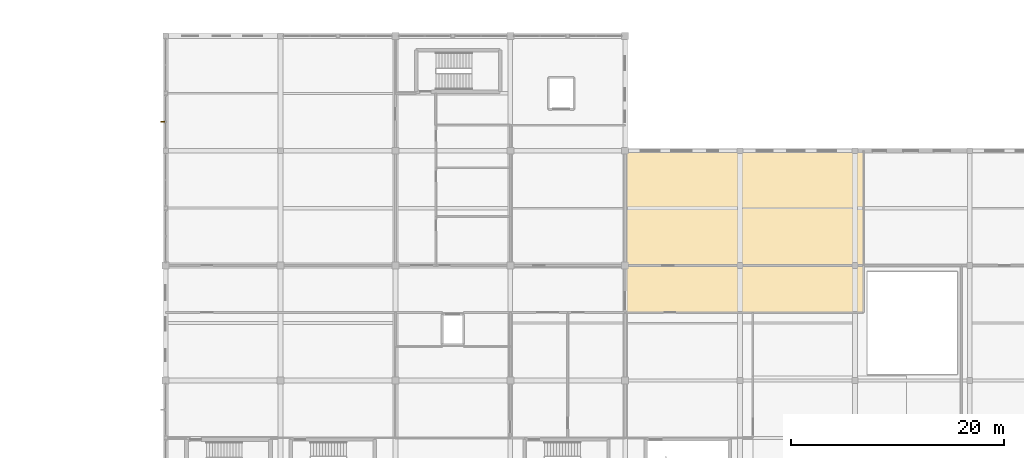
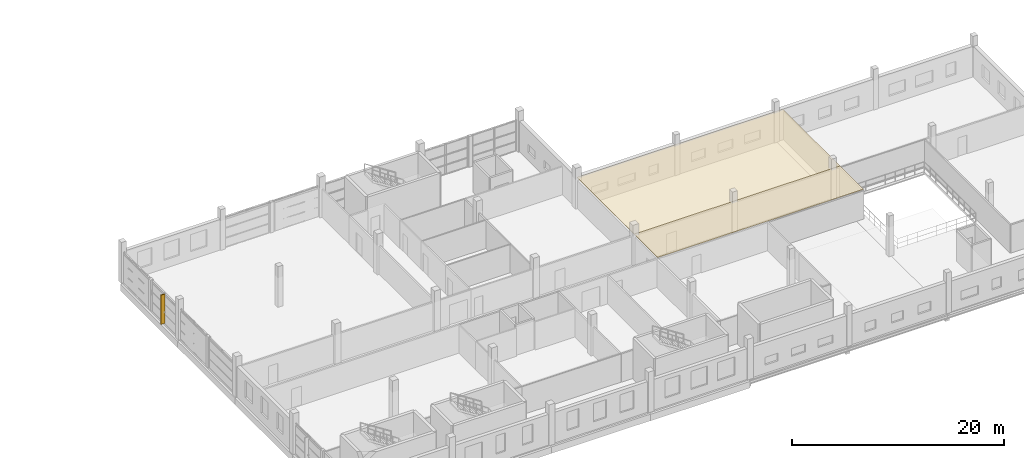
# One storey, part 22 of 24: 2 coverings, 1 shading device.
"""IFC4 building model written with IfcOpenShell, lengths in metres."""

import ifcopenshell
import ifcopenshell.guid

model = None  # the IFC model being written
_history = None  # IfcOwnerHistory: only IFC2X3 demands one
_inside = {}  # id of a spatial element -> (the spatial element, [elements in it])
_under = {}  # id of a project, library or spatial element -> (it, [spatial elements below it])
_declared = {}  # id of a project -> (the project, [libraries it declares])
_typed = {}  # id of a type object -> (the type object, [elements of that type])
_made_of = {}  # id of a material, layer set ... -> (it, [elements and type objects made of it])


def new_model(schema):
    """Start an empty IFC model of exactly this schema.

    Asked for "IFC4X3", IfcOpenShell would pick the latest addendum, in which some entities
    have other attributes; the version numbers below select the first issue.
    IFC2X3 requires an IfcOwnerHistory on every rooted entity: one is made here for all.
    """
    global model, _history
    if schema == "IFC4X3":
        model = ifcopenshell.file(schema_version=(4, 3, 0, 0))
    else:
        model = ifcopenshell.file(schema=schema)
    _inside.clear()
    _under.clear()
    _declared.clear()
    _typed.clear()
    _made_of.clear()
    _history = None
    if model.schema == "IFC2X3":
        org = make("IfcOrganization", Name="unknown")
        user = make(
            "IfcPersonAndOrganization",
            ThePerson=make("IfcPerson", FamilyName="unknown"),
            TheOrganization=org,
        )
        app = make(
            "IfcApplication",
            ApplicationDeveloper=org,
            Version="unknown",
            ApplicationFullName="unknown",
            ApplicationIdentifier="unknown",
        )
        _history = make(
            "IfcOwnerHistory",
            OwningUser=user,
            OwningApplication=app,
            ChangeAction="ADDED",
            CreationDate=0,
        )
    return model


def make(cls, **values):
    """One entity of the class cls with the attributes given. An attribute that is None is left unset."""
    return model.create_entity(
        cls, **{name: value for name, value in values.items() if value is not None}
    )


def rooted(cls, **values):
    """An entity with a GlobalId (a new one), such as an element, a storey or a relation."""
    return make(cls, GlobalId=ifcopenshell.guid.new(), OwnerHistory=_history, **values)


def si_unit(unit_type, name, prefix=None):
    """IfcSIUnit, for example si_unit("LENGTHUNIT", "METRE", prefix="MILLI")."""
    return make("IfcSIUnit", UnitType=unit_type, Prefix=prefix, Name=name)


def assignment(units):
    """IfcUnitAssignment: the units of a project."""
    return None if units is None else make("IfcUnitAssignment", Units=units)


def point(xyz):
    """IfcCartesianPoint."""
    return None if xyz is None else make("IfcCartesianPoint", Coordinates=xyz)


def direction(xyz):
    """IfcDirection."""
    return None if xyz is None else make("IfcDirection", DirectionRatios=xyz)


def frame(location, z_axis=None, x_axis=None):
    """IfcAxis2Placement3D, a coordinate frame: its origin and axes. An axis left out is left unset."""
    return make(
        "IfcAxis2Placement3D",
        Location=point(location),
        Axis=direction(z_axis),
        RefDirection=direction(x_axis),
    )


def frame_2d(location, x_axis=None):
    """IfcAxis2Placement2D, a coordinate frame in the plane: its origin and x axis."""
    return make(
        "IfcAxis2Placement2D", Location=point(location), RefDirection=direction(x_axis)
    )


def origin():
    """The frame at (0, 0, 0) with its axes left unset."""
    return frame((0.0, 0.0, 0.0))


def origin_2d():
    """The frame at (0, 0) in the plane with its x axis left unset."""
    return frame_2d((0.0, 0.0))


def place(relative_to, where):
    """IfcLocalPlacement: puts the frame where relative to a parent placement (None: the world)."""
    return make(
        "IfcLocalPlacement", PlacementRelTo=relative_to, RelativePlacement=where
    )


def context(
    kind, dimensions, precision=None, world=None, true_north=None, identifier=None
):
    """IfcGeometricRepresentationContext, for example the 3D "Model" context."""
    return make(
        "IfcGeometricRepresentationContext",
        ContextIdentifier=identifier,
        ContextType=kind,
        CoordinateSpaceDimension=dimensions,
        Precision=precision,
        WorldCoordinateSystem=world,
        TrueNorth=true_north,
    )


def subcontext(parent, identifier, kind, view, scale=None):
    """IfcGeometricRepresentationSubContext, for example "Body" below "Model"."""
    return make(
        "IfcGeometricRepresentationSubContext",
        ContextIdentifier=identifier,
        ContextType=kind,
        ParentContext=parent,
        TargetScale=scale,
        TargetView=view,
    )


def project(units=None, contexts=None):
    """IfcProject with its units and contexts."""
    return rooted(
        "IfcProject",
        Name="project",
        RepresentationContexts=contexts,
        UnitsInContext=assignment(units),
    )


def spatial(cls, under=None, at=None, **own):
    """A site, building, storey or space (cls), placed at a placement, below another one or the project."""
    s = rooted(cls, ObjectPlacement=at, **own)
    if under is not None:
        _under.setdefault(under.id(), (under, []))[1].append(s)
    return s


def polyline(points):
    """IfcPolyline through the points."""
    return make("IfcPolyline", Points=[point(p) for p in points])


def profile(cls, at=None, kind="AREA", **sizes):
    """A parametric profile (cls). Its sizes go by their IFC names, for example OverallWidth=200.0."""
    return make(cls, ProfileType=kind, Position=at, **sizes)


def rectangle(**sizes):
    """IfcRectangleProfileDef."""
    return profile("IfcRectangleProfileDef", **sizes)


def outline(outer, holes=None, kind="AREA"):
    """IfcArbitraryClosedProfileDef: a profile drawn as a closed curve; with holes, ...WithVoids."""
    if holes is None:
        return make("IfcArbitraryClosedProfileDef", ProfileType=kind, OuterCurve=outer)
    return make(
        "IfcArbitraryProfileDefWithVoids",
        ProfileType=kind,
        OuterCurve=outer,
        InnerCurves=holes,
    )


def extrude(swept, where, along, depth):
    """IfcExtrudedAreaSolid: the profile swept, set in the frame where, extruded along a direction by depth."""
    return make(
        "IfcExtrudedAreaSolid",
        SweptArea=swept,
        Position=where,
        ExtrudedDirection=direction(along),
        Depth=depth,
    )


def shape(context_of_items, identifier, shape_type, items):
    """IfcShapeRepresentation: the items that make up one representation, for example the "Body"."""
    return make(
        "IfcShapeRepresentation",
        ContextOfItems=context_of_items,
        RepresentationIdentifier=identifier,
        RepresentationType=shape_type,
        Items=items,
    )


def material(Name=None, Category=None):
    """IfcMaterial."""
    return make("IfcMaterial", Name=Name, Category=Category)


def layer(
    of_material, thickness, ventilated=None, Name=None, Category=None, Priority=None
):
    """IfcMaterialLayer: one layer of a wall or slab, of a material (None: an air gap)."""
    return make(
        "IfcMaterialLayer",
        Material=of_material,
        LayerThickness=thickness,
        IsVentilated=ventilated,
        Name=Name,
        Category=Category,
        Priority=Priority,
    )


def layer_set(layers, Name=None):
    """IfcMaterialLayerSet."""
    return make("IfcMaterialLayerSet", MaterialLayers=layers, LayerSetName=Name)


def made_of(thing, what):
    """Note that an element or type object is made of a material, layer set ...; save() writes the relation."""
    if what is not None:
        _made_of.setdefault(what.id(), (what, []))[1].append(thing)
    return thing


def type_object(cls, material=None, **own):
    """A type object (cls), such as IfcWallType, which elements share."""
    return made_of(rooted(cls, **own), material)


def element(
    cls,
    number,
    at=None,
    inside=None,
    cuts=None,
    type_object=None,
    material=None,
    context=None,
    identifier="Body",
    shape_type=None,
    held_by="IfcProductDefinitionShape",
    body=None,
    shapes=None,
    **own,
):
    """One element of the class cls, such as IfcWall. Its Tag is "e" and its number.

    at: its placement. inside: the storey or other place that contains it. cuts: it is an
    opening in that element (IfcRelVoidsElement). A single representation is given by context,
    identifier, shape_type and body (its items); several are given by shapes. held_by: the class
    of the entity that holds the representations. save() writes the other relations.
    """
    e = rooted(cls, Tag="e%d" % number, ObjectPlacement=at, **own)
    if body is not None:
        shapes = [shape(context, identifier, shape_type, body)]
    if shapes is not None:
        e.Representation = make(held_by, Representations=shapes)
    if inside is not None:
        _inside.setdefault(inside.id(), (inside, []))[1].append(e)
    if cuts is not None:
        rooted(
            "IfcRelVoidsElement", RelatingBuildingElement=cuts, RelatedOpeningElement=e
        )
    if type_object is not None:
        _typed.setdefault(type_object.id(), (type_object, []))[1].append(e)
    return made_of(e, material)


def aggregate(whole, parts):
    """IfcRelAggregates: a whole, such as a stair, and the parts it consists of."""
    return rooted("IfcRelAggregates", RelatingObject=whole, RelatedObjects=parts)


def save(model, path):
    """Write the relations noted so far, then the file.

    IfcRelAggregates (storeys below a building ...), IfcRelContainedInSpatialStructure (elements
    in a storey), IfcRelDefinesByType, IfcRelAssociatesMaterial and IfcRelDeclares: one each for
    every whole, place, type object, material and project.
    """
    for whole, parts in _under.values():
        aggregate(whole, parts)
    for where, things in _inside.values():
        rooted(
            "IfcRelContainedInSpatialStructure",
            RelatedElements=things,
            RelatingStructure=where,
        )
    for kind, things in _typed.values():
        rooted("IfcRelDefinesByType", RelatedObjects=things, RelatingType=kind)
    for what, things in _made_of.values():
        rooted("IfcRelAssociatesMaterial", RelatedObjects=things, RelatingMaterial=what)
    for by, libraries in _declared.values():
        rooted("IfcRelDeclares", RelatingContext=by, RelatedDefinitions=libraries)
    model.write(path)


model = new_model("IFC4")

# Units and contexts
model_context = context("Model", 3, precision=1e-05, world=origin(), true_north=direction((0.0, 1.0)))
body_context = subcontext(model_context, "Body", "Model", "MODEL_VIEW")
ifc_project = project(units=[si_unit("LENGTHUNIT", "METRE"), si_unit("AREAUNIT", "SQUARE_METRE"), si_unit("VOLUMEUNIT", "CUBIC_METRE"), si_unit("PLANEANGLEUNIT", "RADIAN"), si_unit("MASSUNIT", "GRAM", prefix="KILO")], contexts=[model_context])

# Site, building, storey
site_placement = place(None, origin())
site = spatial("IfcSite", under=ifc_project, at=site_placement, CompositionType="ELEMENT")
building_placement = place(site_placement, origin())
building = spatial("IfcBuilding", under=site, at=building_placement, Name="Zwinboog Wholesale Market", CompositionType="ELEMENT")
storey_placement = place(building_placement, frame((0.0, 0.0, 10.080078125)))
storey = spatial("IfcBuildingStorey", under=building, at=storey_placement, Name="L02", CompositionType="ELEMENT", Elevation=10.080078125)

# Shading device
ifc_material_1 = material(Name="Western red cedar timber", Category="wood")
shading_device_type = type_object("IfcShadingDeviceType", Name="SHD-FIN-CEDAR", PredefinedType="USERDEFINED", material=ifc_material_1)
shading_device_placement = place(storey_placement, frame((129.330078125, 35.135009765625, 0.080078125), z_axis=(0.0, 0.0, 1.0), x_axis=(1.0, 0.0, 0.0)))
element("IfcShadingDevice", 1, at=shading_device_placement, inside=storey, type_object=shading_device_type, Name="FN-01 (SHD-FIN-046)", ObjectType="FIN", PredefinedType="USERDEFINED", context=body_context, shape_type="SweptSolid", body=[
    extrude(rectangle(XDim=0.419921875, YDim=0.0849609375, at=origin_2d()), origin(), (0.0, 0.0, 1.0), 3.3798828125),
])

# Coverings
ifc_material_2 = material(Name="Hygienic washable acoustic gypsum ceiling")
ifc_layer = layer(ifc_material_2, 0.050048828125)
ifc_layer_set = layer_set([ifc_layer], Name="Hygienic washable acoustic gypsum ceiling")
covering_type = type_object("IfcCoveringType", Name="COV-CEIL-HYG", PredefinedType="CEILING", material=ifc_layer_set)
covering_1_placement = place(storey_placement, frame((0.0, 0.0, 3.329833984375)))
element("IfcCovering", 2, at=covering_1_placement, inside=storey, type_object=covering_type, Name="CL-02 (COV-CL-L02-042)", PredefinedType="CEILING", context=body_context, shape_type="SweptSolid", body=[
    extrude(outline(polyline([(172.800048828125, 17.199951171875), (195.199951171875, 17.199951171875), (195.199951171875, 21.60009765625), (172.800048828125, 21.60009765625), (172.800048828125, 17.199951171875)])), origin(), (0.0, 0.0, 1.0), 0.050048828125),
])
covering_2_placement = place(storey_placement, frame((0.0, 0.0, 3.329833984375)))
element("IfcCovering", 3, at=covering_2_placement, inside=storey, type_object=covering_type, Name="CL-02 (COV-CL-L02-046)", PredefinedType="CEILING", context=body_context, shape_type="SweptSolid", body=[
    extrude(outline(polyline([(172.800048828125, 21.60009765625), (195.199951171875, 21.60009765625), (195.199951171875, 32.39990234375), (172.800048828125, 32.39990234375), (172.800048828125, 21.60009765625)])), origin(), (0.0, 0.0, 1.0), 0.050048828125),
])

save(model, "model.ifc")
